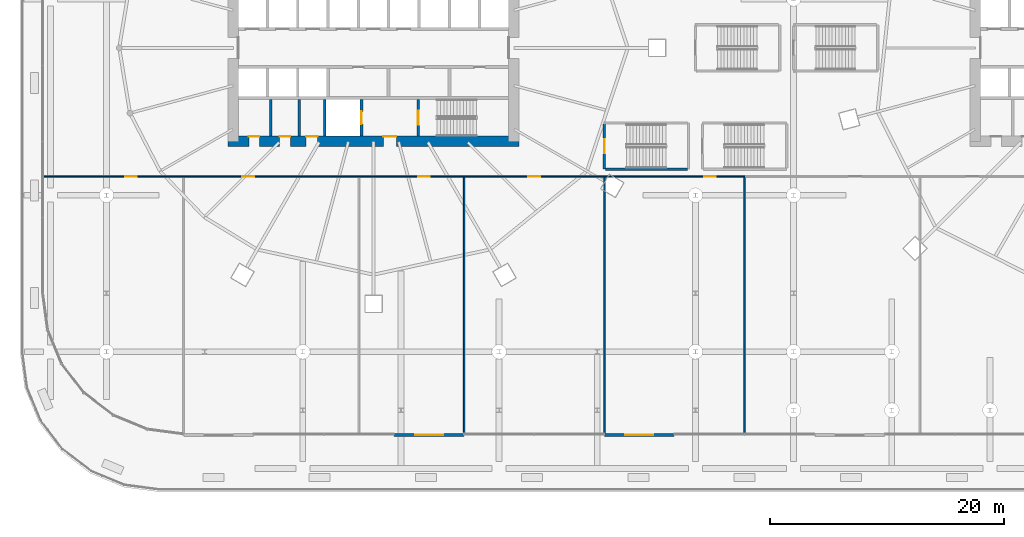
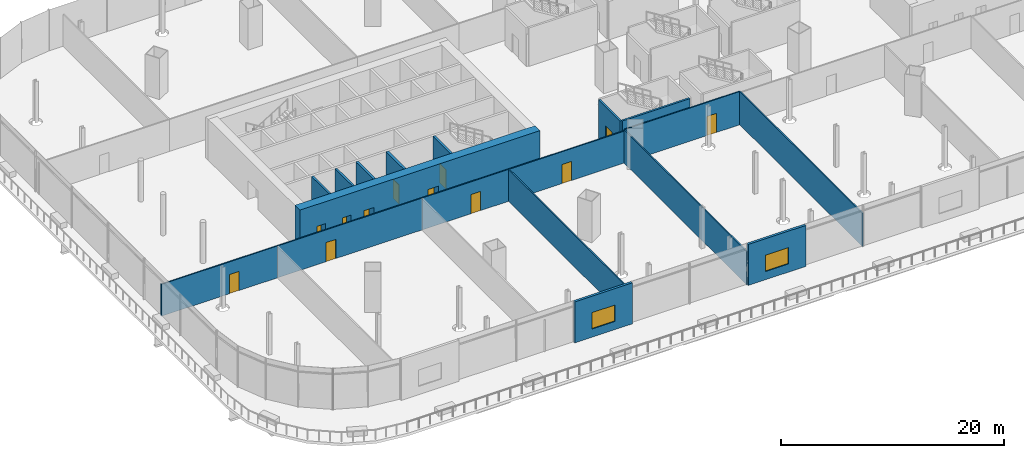
# One storey, part 36 of 56: 18 walls, 12 doors, 2 windows, 14 openings.
"""IFC4 building model written with IfcOpenShell, lengths in metres."""

from ifc_helpers import new_model, si_unit, direction, frame, frame_2d, origin, place, context, subcontext, project, spatial, rectangle, extrude, material, layer, layer_set, type_object, element, fill, save


model = new_model("IFC4")

# Units and contexts
model_context = context("Model", 3, precision=1e-05, world=origin(), true_north=direction((0.0, 1.0)))
body_context = subcontext(model_context, "Body", "Model", "MODEL_VIEW")
ifc_project = project(units=[si_unit("LENGTHUNIT", "METRE"), si_unit("AREAUNIT", "SQUARE_METRE"), si_unit("VOLUMEUNIT", "CUBIC_METRE"), si_unit("PLANEANGLEUNIT", "RADIAN"), si_unit("MASSUNIT", "GRAM", prefix="KILO")], contexts=[model_context])

# Site, building, storey
site_placement = place(None, origin())
site = spatial("IfcSite", under=ifc_project, at=site_placement, CompositionType="ELEMENT")
building_placement = place(site_placement, origin())
building = spatial("IfcBuilding", under=site, at=building_placement, Name="Rimbun Link Towers", CompositionType="ELEMENT")
storey_placement = place(building_placement, frame((0.0, 0.0, 16.5)))
storey = spatial("IfcBuildingStorey", under=building, at=storey_placement, Name="L03", CompositionType="ELEMENT", Elevation=16.5)

# Walls
ifc_material_1 = material(Name="Masonry blockwork", Category="masonry")
ifc_layer_1 = layer(ifc_material_1, 0.199951171875)
ifc_layer_set_1 = layer_set([ifc_layer_1], Name="Core partition 200")
wall_type_1 = type_object("IfcWallType", Name="Core partition 200", PredefinedType="PARTITIONING", material=ifc_layer_set_1)
for number, where, z_axis, x_axis, name in (
    (1, (-40.550048828125, -4.39990234375, 0.0), (0.0, 0.0, 1.0), (0.0, -1.0, 0.0), "L03 T1 core wall C1"),
    (2, (-38.10009765625, -4.39990234375, 0.0), (0.0, 0.0, 1.0), (0.0, -1.0, 0.0), "L03 T1 core wall C2"),
):
    element("IfcWall", number, at=place(storey_placement, frame(where, z_axis=z_axis, x_axis=x_axis)), inside=storey, type_object=wall_type_1, Name=name, PredefinedType="PARTITIONING", context=body_context, shape_type="SweptSolid", body=[
        extrude(rectangle(XDim=3.150146484375, YDim=0.199951171875, at=frame_2d((1.5751953125, 0.0))), origin(), (0.0, 0.0, 1.0), 4.5),
    ])

# Wall, openings, doors
ifc_material_2 = material(Name="Concrete C60/75", Category="concrete")
ifc_layer_2 = layer(ifc_material_2, 0.89990234375)
ifc_layer_set_2 = layer_set([ifc_layer_2], Name="Core shear wall 900")
wall_type_2 = type_object("IfcWallType", Name="Core shear wall 900", PredefinedType="SHEAR", material=ifc_layer_set_2)
wall_1_placement = place(storey_placement, frame((-44.199951171875, -8.0, 0.0), z_axis=(0.0, 0.0, 1.0), x_axis=(1.0, 0.0, 0.0)))
wall_1 = element("IfcWall", 3, at=wall_1_placement, inside=storey, type_object=wall_type_2, Name="L03 T1 core wall S", PredefinedType="SHEAR", context=body_context, shape_type="SweptSolid", body=[
    extrude(rectangle(XDim=24.89990234375, YDim=0.89990234375, at=frame_2d((12.449951171875, 0.0))), origin(), (0.0, 0.0, 1.0), 4.5),
])
opening_1_placement = place(wall_1_placement, frame((13.300048828125, 0.0, 0.0)))
opening_1 = element("IfcOpeningElement", 4, at=opening_1_placement, cuts=wall_1, Name="Opening C1DCF01S", PredefinedType="OPENING", context=body_context, shape_type="SweptSolid", body=[
    extrude(rectangle(XDim=1.10009765625, YDim=2.10009765625, at=frame_2d((0.550048828125, 1.050048828125))), frame((0.0, 0.4599609375, 0.0), z_axis=(0.0, -1.0, 0.0), x_axis=(1.0, 0.0, 0.0)), (0.0, 0.0, 1.0), 0.919921875),
])
opening_2_placement = place(wall_1_placement, frame((1.77490234375, 0.0, 0.0)))
opening_2 = element("IfcOpeningElement", 5, at=opening_2_placement, cuts=wall_1, Name="Opening C1DWC02S", PredefinedType="OPENING", context=body_context, shape_type="SweptSolid", body=[
    extrude(rectangle(XDim=0.89990234375, YDim=2.10009765625, at=frame_2d((0.449951171875, 1.050048828125))), frame((0.0, 0.4599609375, 0.0), z_axis=(0.0, -1.0, 0.0), x_axis=(1.0, 0.0, 0.0)), (0.0, 0.0, 1.0), 0.919921875),
])
opening_3_placement = place(wall_1_placement, frame((4.425048828125, 0.0, 0.0)))
opening_3 = element("IfcOpeningElement", 6, at=opening_3_placement, cuts=wall_1, Name="Opening C1DWC03S", PredefinedType="OPENING", context=body_context, shape_type="SweptSolid", body=[
    extrude(rectangle(XDim=0.89990234375, YDim=2.10009765625, at=frame_2d((0.449951171875, 1.050048828125))), frame((0.0, 0.4599609375, 0.0), z_axis=(0.0, -1.0, 0.0), x_axis=(1.0, 0.0, 0.0)), (0.0, 0.0, 1.0), 0.919921875),
])
opening_4_placement = place(wall_1_placement, frame((6.675048828125, 0.0, 0.0)))
opening_4 = element("IfcOpeningElement", 7, at=opening_4_placement, cuts=wall_1, Name="Opening C1DAW04S", PredefinedType="OPENING", context=body_context, shape_type="SweptSolid", body=[
    extrude(rectangle(XDim=1.0, YDim=2.10009765625, at=frame_2d((0.5, 1.050048828125))), frame((0.0, 0.4599609375, 0.0), z_axis=(0.0, -1.0, 0.0), x_axis=(1.0, 0.0, 0.0)), (0.0, 0.0, 1.0), 0.919921875),
])
ifc_material_3 = material(Name="Timber", Category="wood")
door_type_1 = type_object("IfcDoorType", Name="Accessible WC door", OperationType="SINGLE_SWING_LEFT", PredefinedType="DOOR", material=ifc_material_3)
door_1_placement = place(opening_4_placement, origin())
door_1 = element("IfcDoor", 8, at=door_1_placement, inside=storey, type_object=door_type_1, Name="L03 T1 accessible wc door", OperationType="SINGLE_SWING_RIGHT", OverallHeight=2.10009765625, OverallWidth=1.0, PredefinedType="DOOR", context=body_context, shape_type="SweptSolid", body=[
    extrude(rectangle(XDim=1.0, YDim=2.10009765625, at=frame_2d((0.5, 1.050048828125))), frame((0.0, 0.4501953125, 0.0), z_axis=(0.0, -1.0, 0.0), x_axis=(1.0, 0.0, 0.0)), (0.0, 0.0, 1.0), 0.050048828125),
])
fill(opening_4, door_1)
ifc_material_4 = material(Name="Steel fire door set", Category="steel")
door_type_2 = type_object("IfcDoorType", Name="Core fire door single", OperationType="SINGLE_SWING_LEFT", PredefinedType="DOOR", material=ifc_material_4)
door_2_placement = place(opening_1_placement, origin())
door_2 = element("IfcDoor", 9, at=door_2_placement, inside=storey, type_object=door_type_2, Name="L03 T1 firefighting lobby s door", OperationType="SINGLE_SWING_RIGHT", OverallHeight=2.10009765625, OverallWidth=1.10009765625, PredefinedType="DOOR", context=body_context, shape_type="SweptSolid", body=[
    extrude(rectangle(XDim=1.10009765625, YDim=2.10009765625, at=frame_2d((0.550048828125, 1.050048828125))), frame((0.0, 0.4501953125, 0.0), z_axis=(0.0, -1.0, 0.0), x_axis=(1.0, 0.0, 0.0)), (0.0, 0.0, 1.0), 0.050048828125),
])
fill(opening_1, door_2)
ifc_material_5 = material(Name="Timber", Category="wood")
door_type_3 = type_object("IfcDoorType", Name="WC door", OperationType="SINGLE_SWING_LEFT", PredefinedType="DOOR", material=ifc_material_5)
door_3_placement = place(opening_2_placement, origin())
door_3 = element("IfcDoor", 10, at=door_3_placement, inside=storey, type_object=door_type_3, Name="L03 T1 male wc door", OperationType="SINGLE_SWING_LEFT", OverallHeight=2.10009765625, OverallWidth=0.89990234375, PredefinedType="DOOR", context=body_context, shape_type="SweptSolid", body=[
    extrude(rectangle(XDim=0.89990234375, YDim=2.10009765625, at=frame_2d((0.449951171875, 1.050048828125))), frame((0.0, 0.4501953125, 0.0), z_axis=(0.0, -1.0, 0.0), x_axis=(1.0, 0.0, 0.0)), (0.0, 0.0, 1.0), 0.050048828125),
])
fill(opening_2, door_3)
door_4_placement = place(opening_3_placement, origin())
door_4 = element("IfcDoor", 11, at=door_4_placement, inside=storey, type_object=door_type_3, Name="L03 T1 female wc door", OperationType="SINGLE_SWING_RIGHT", OverallHeight=2.10009765625, OverallWidth=0.89990234375, PredefinedType="DOOR", context=body_context, shape_type="SweptSolid", body=[
    extrude(rectangle(XDim=0.89990234375, YDim=2.10009765625, at=frame_2d((0.449951171875, 1.050048828125))), frame((0.0, 0.4501953125, 0.0), z_axis=(0.0, -1.0, 0.0), x_axis=(1.0, 0.0, 0.0)), (0.0, 0.0, 1.0), 0.050048828125),
])
fill(opening_3, door_4)

# Wall, opening, window
ifc_material_6 = material(Name="Concrete C32/40, terracotta rainscreen cladding", Category="masonry")
ifc_layer_3 = layer(ifc_material_6, 0.25)
ifc_layer_set_3 = layer_set([ifc_layer_3], Name="PD solid bay wall 250")
wall_type_3 = type_object("IfcWallType", Name="PD solid bay wall 250", PredefinedType="STANDARD", material=ifc_layer_set_3)
wall_2_placement = place(storey_placement, frame((-24.02001953125, -33.125, 0.0), z_axis=(0.0, 0.0, 1.0), x_axis=(-1.0, 0.0, 0.0)))
wall_2 = element("IfcWall", 12, at=wall_2_placement, inside=storey, type_object=wall_type_3, Name="Solid bay wall", PredefinedType="STANDARD", context=body_context, shape_type="SweptSolid", body=[
    extrude(rectangle(XDim=5.9599609375, YDim=0.25, at=frame_2d((2.97998046875, 0.0))), origin(), (0.0, 0.0, 1.0), 4.5),
])
opening_5_placement = place(wall_2_placement, frame((1.780029296875, 0.0, 0.89990234375)))
opening_5 = element("IfcOpeningElement", 13, at=opening_5_placement, cuts=wall_2, Name="Opening WN11", PredefinedType="OPENING", context=body_context, shape_type="SweptSolid", body=[
    extrude(rectangle(XDim=2.39990234375, YDim=1.800048828125, at=frame_2d((1.199951171875, 0.89990234375))), frame((0.0, 0.135009765625, 0.0), z_axis=(0.0, -1.0, 0.0), x_axis=(1.0, 0.0, 0.0)), (0.0, 0.0, 1.0), 0.27001953125),
])
ifc_material_7 = material(Name="Aluminium framed window, low-iron glass", Category="aluminium")
window_type = type_object("IfcWindowType", Name="W1 podium window 2400X1800", PartitioningType="SINGLE_PANEL", PredefinedType="WINDOW", material=ifc_material_7)
window_1_placement = place(opening_5_placement, origin())
window_1 = element("IfcWindow", 14, at=window_1_placement, inside=storey, type_object=window_type, Name="Podium window", OverallHeight=1.800048828125, OverallWidth=2.39990234375, PartitioningType="SINGLE_PANEL", PredefinedType="WINDOW", context=body_context, shape_type="SweptSolid", body=[
    extrude(rectangle(XDim=2.39990234375, YDim=1.800048828125, at=frame_2d((1.199951171875, 0.89990234375))), frame((0.0, 0.030029296875, 0.0), z_axis=(0.0, -1.0, 0.0), x_axis=(1.0, 0.0, 0.0)), (0.0, 0.0, 1.0), 0.06005859375),
])
fill(opening_5, window_1)

wall_3_placement = place(storey_placement, frame((-6.02001953125, -33.125, 0.0), z_axis=(0.0, 0.0, 1.0), x_axis=(-1.0, 0.0, 0.0)))
wall_3 = element("IfcWall", 15, at=wall_3_placement, inside=storey, type_object=wall_type_3, Name="Solid bay wall", PredefinedType="STANDARD", context=body_context, shape_type="SweptSolid", body=[
    extrude(rectangle(XDim=5.9599609375, YDim=0.25, at=frame_2d((2.97998046875, 0.0))), origin(), (0.0, 0.0, 1.0), 4.5),
])
opening_6_placement = place(wall_3_placement, frame((1.780029296875, 0.0, 0.89990234375)))
opening_6 = element("IfcOpeningElement", 16, at=opening_6_placement, cuts=wall_3, Name="Opening WN12", PredefinedType="OPENING", context=body_context, shape_type="SweptSolid", body=[
    extrude(rectangle(XDim=2.39990234375, YDim=1.800048828125, at=frame_2d((1.199951171875, 0.89990234375))), frame((0.0, 0.135009765625, 0.0), z_axis=(0.0, -1.0, 0.0), x_axis=(1.0, 0.0, 0.0)), (0.0, 0.0, 1.0), 0.27001953125),
])
window_2_placement = place(opening_6_placement, origin())
window_2 = element("IfcWindow", 17, at=window_2_placement, inside=storey, type_object=window_type, Name="Podium window", OverallHeight=1.800048828125, OverallWidth=2.39990234375, PartitioningType="SINGLE_PANEL", PredefinedType="WINDOW", context=body_context, shape_type="SweptSolid", body=[
    extrude(rectangle(XDim=2.39990234375, YDim=1.800048828125, at=frame_2d((1.199951171875, 0.89990234375))), frame((0.0, 0.030029296875, 0.0), z_axis=(0.0, -1.0, 0.0), x_axis=(1.0, 0.0, 0.0)), (0.0, 0.0, 1.0), 0.06005859375),
])
fill(opening_6, window_2)

# Wall, opening, door
ifc_material_8 = material(Name="Gypsum board on steel studs", Category="steel")
ifc_layer_4 = layer(ifc_material_8, 0.125)
ifc_layer_set_4 = layer_set([ifc_layer_4], Name="Partition 125 board on studs")
wall_type_4 = type_object("IfcWallType", Name="Partition 125 board on studs", PredefinedType="PARTITIONING", material=ifc_layer_set_4)
wall_4_placement = place(storey_placement, frame((-60.080078125, -11.0, 0.0), z_axis=(0.0, 0.0, 1.0), x_axis=(1.0, 0.0, 0.0)))
wall_4 = element("IfcWall", 18, at=wall_4_placement, inside=storey, type_object=wall_type_4, Name="PD/PW/L03/025", PredefinedType="PARTITIONING", context=body_context, shape_type="SweptSolid", body=[
    extrude(rectangle(XDim=12.080078125, YDim=0.125, at=frame_2d((6.0400390625, 0.0))), origin(), (0.0, 0.0, 1.0), 3.49609375),
])
opening_7_placement = place(wall_4_placement, frame((7.06689453125, 0.0, 0.0)))
opening_7 = element("IfcOpeningElement", 19, at=opening_7_placement, cuts=wall_4, Name="Opening PD D03.01", PredefinedType="OPENING", context=body_context, shape_type="SweptSolid", body=[
    extrude(rectangle(XDim=1.0, YDim=2.10009765625, at=frame_2d((0.5, 1.050048828125))), frame((0.0, 0.072509765625, 0.0), z_axis=(0.0, -1.0, 0.0), x_axis=(1.0, 0.0, 0.0)), (0.0, 0.0, 1.0), 0.14501953125),
])
ifc_material_9 = material(Name="Timber door set", Category="wood")
door_type_4 = type_object("IfcDoorType", Name="Door single leaf 1000 x 2100", OperationType="NOTDEFINED", PredefinedType="DOOR", material=ifc_material_9)
door_5_placement = place(opening_7_placement, origin())
door_5 = element("IfcDoor", 20, at=door_5_placement, inside=storey, type_object=door_type_4, Name="PD/DR/L03/001", OperationType="SINGLE_SWING_RIGHT", OverallHeight=2.10009765625, OverallWidth=1.0, PredefinedType="DOOR", context=body_context, shape_type="SweptSolid", body=[
    extrude(rectangle(XDim=1.0, YDim=2.10009765625, at=frame_2d((0.5, 1.050048828125))), frame((0.0, 0.02490234375, 0.0), z_axis=(0.0, -1.0, 0.0), x_axis=(1.0, 0.0, 0.0)), (0.0, 0.0, 1.0), 0.050048828125),
])
fill(opening_7, door_5)

wall_5_placement = place(storey_placement, frame((-48.0, -11.0, 0.0), z_axis=(0.0, 0.0, 1.0), x_axis=(1.0, 0.0, 0.0)))
wall_5 = element("IfcWall", 21, at=wall_5_placement, inside=storey, type_object=wall_type_4, Name="PD/PW/L03/026", PredefinedType="PARTITIONING", context=body_context, shape_type="SweptSolid", body=[
    extrude(rectangle(XDim=15.0, YDim=0.125, at=frame_2d((7.5, 0.0))), origin(), (0.0, 0.0, 1.0), 3.49609375),
])
opening_8_placement = place(wall_5_placement, frame((5.034912109375, 0.0, 0.0)))
opening_8 = element("IfcOpeningElement", 22, at=opening_8_placement, cuts=wall_5, Name="Opening PD D03.02", PredefinedType="OPENING", context=body_context, shape_type="SweptSolid", body=[
    extrude(rectangle(XDim=1.0, YDim=2.10009765625, at=frame_2d((0.5, 1.050048828125))), frame((0.0, 0.072509765625, 0.0), z_axis=(0.0, -1.0, 0.0), x_axis=(1.0, 0.0, 0.0)), (0.0, 0.0, 1.0), 0.14501953125),
])
door_6_placement = place(opening_8_placement, origin())
door_6 = element("IfcDoor", 23, at=door_6_placement, inside=storey, type_object=door_type_4, Name="PD/DR/L03/002", OperationType="SINGLE_SWING_LEFT", OverallHeight=2.10009765625, OverallWidth=1.0, PredefinedType="DOOR", context=body_context, shape_type="SweptSolid", body=[
    extrude(rectangle(XDim=1.0, YDim=2.10009765625, at=frame_2d((0.5, 1.050048828125))), frame((0.0, 0.02490234375, 0.0), z_axis=(0.0, -1.0, 0.0), x_axis=(1.0, 0.0, 0.0)), (0.0, 0.0, 1.0), 0.050048828125),
])
fill(opening_8, door_6)

wall_6_placement = place(storey_placement, frame((-33.0, -11.0, 0.0), z_axis=(0.0, 0.0, 1.0), x_axis=(1.0, 0.0, 0.0)))
wall_6 = element("IfcWall", 24, at=wall_6_placement, inside=storey, type_object=wall_type_4, Name="PD/PW/L03/027", PredefinedType="PARTITIONING", context=body_context, shape_type="SweptSolid", body=[
    extrude(rectangle(XDim=9.0, YDim=0.125, at=frame_2d((4.5, 0.0))), origin(), (0.0, 0.0, 1.0), 3.49609375),
])
opening_9_placement = place(wall_6_placement, frame((5.06494140625, 0.0, 0.0)))
opening_9 = element("IfcOpeningElement", 25, at=opening_9_placement, cuts=wall_6, Name="Opening PD D03.03", PredefinedType="OPENING", context=body_context, shape_type="SweptSolid", body=[
    extrude(rectangle(XDim=1.0, YDim=2.10009765625, at=frame_2d((0.5, 1.050048828125))), frame((0.0, 0.072509765625, 0.0), z_axis=(0.0, -1.0, 0.0), x_axis=(1.0, 0.0, 0.0)), (0.0, 0.0, 1.0), 0.14501953125),
])
door_7_placement = place(opening_9_placement, origin())
door_7 = element("IfcDoor", 26, at=door_7_placement, inside=storey, type_object=door_type_4, Name="PD/DR/L03/003", OperationType="SINGLE_SWING_RIGHT", OverallHeight=2.10009765625, OverallWidth=1.0, PredefinedType="DOOR", context=body_context, shape_type="SweptSolid", body=[
    extrude(rectangle(XDim=1.0, YDim=2.10009765625, at=frame_2d((0.5, 1.050048828125))), frame((0.0, 0.02490234375, 0.0), z_axis=(0.0, -1.0, 0.0), x_axis=(1.0, 0.0, 0.0)), (0.0, 0.0, 1.0), 0.050048828125),
])
fill(opening_9, door_7)

wall_7_placement = place(storey_placement, frame((-24.0, -11.0, 0.0), z_axis=(0.0, 0.0, 1.0), x_axis=(1.0, 0.0, 0.0)))
wall_7 = element("IfcWall", 27, at=wall_7_placement, inside=storey, type_object=wall_type_4, Name="PD/PW/L03/028", PredefinedType="PARTITIONING", context=body_context, shape_type="SweptSolid", body=[
    extrude(rectangle(XDim=12.0, YDim=0.125, at=frame_2d((6.0, 0.0))), origin(), (0.0, 0.0, 1.0), 3.49609375),
])
opening_10_placement = place(wall_7_placement, frame((5.5, 0.0, 0.0)))
opening_10 = element("IfcOpeningElement", 28, at=opening_10_placement, cuts=wall_7, Name="Opening PD D03.04", PredefinedType="OPENING", context=body_context, shape_type="SweptSolid", body=[
    extrude(rectangle(XDim=1.0, YDim=2.10009765625, at=frame_2d((0.5, 1.050048828125))), frame((0.0, 0.072509765625, 0.0), z_axis=(0.0, -1.0, 0.0), x_axis=(1.0, 0.0, 0.0)), (0.0, 0.0, 1.0), 0.14501953125),
])
door_8_placement = place(opening_10_placement, origin())
door_8 = element("IfcDoor", 29, at=door_8_placement, inside=storey, type_object=door_type_4, Name="PD/DR/L03/004", OperationType="SINGLE_SWING_LEFT", OverallHeight=2.10009765625, OverallWidth=1.0, PredefinedType="DOOR", context=body_context, shape_type="SweptSolid", body=[
    extrude(rectangle(XDim=1.0, YDim=2.10009765625, at=frame_2d((0.5, 1.050048828125))), frame((0.0, 0.02490234375, 0.0), z_axis=(0.0, -1.0, 0.0), x_axis=(1.0, 0.0, 0.0)), (0.0, 0.0, 1.0), 0.050048828125),
])
fill(opening_10, door_8)

wall_8_placement = place(storey_placement, frame((-12.0, -11.0, 0.0), z_axis=(0.0, 0.0, 1.0), x_axis=(1.0, 0.0, 0.0)))
wall_8 = element("IfcWall", 30, at=wall_8_placement, inside=storey, type_object=wall_type_4, Name="PD/PW/L03/029", PredefinedType="PARTITIONING", context=body_context, shape_type="SweptSolid", body=[
    extrude(rectangle(XDim=12.0, YDim=0.125, at=frame_2d((6.0, 0.0))), origin(), (0.0, 0.0, 1.0), 3.64697265625),
])
opening_11_placement = place(wall_8_placement, frame((8.530029296875, 0.0, 0.0)))
opening_11 = element("IfcOpeningElement", 31, at=opening_11_placement, cuts=wall_8, Name="Opening PD D03.05", PredefinedType="OPENING", context=body_context, shape_type="SweptSolid", body=[
    extrude(rectangle(XDim=1.0, YDim=2.10009765625, at=frame_2d((0.5, 1.050048828125))), frame((0.0, 0.072509765625, 0.0), z_axis=(0.0, -1.0, 0.0), x_axis=(1.0, 0.0, 0.0)), (0.0, 0.0, 1.0), 0.14501953125),
])
door_9_placement = place(opening_11_placement, origin())
door_9 = element("IfcDoor", 32, at=door_9_placement, inside=storey, type_object=door_type_4, Name="PD/DR/L03/005", OperationType="SINGLE_SWING_RIGHT", OverallHeight=2.10009765625, OverallWidth=1.0, PredefinedType="DOOR", context=body_context, shape_type="SweptSolid", body=[
    extrude(rectangle(XDim=1.0, YDim=2.10009765625, at=frame_2d((0.5, 1.050048828125))), frame((0.0, 0.02490234375, 0.0), z_axis=(0.0, -1.0, 0.0), x_axis=(1.0, 0.0, 0.0)), (0.0, 0.0, 1.0), 0.050048828125),
])
fill(opening_11, door_9)

# Walls
wall_9_placement = place(storey_placement, frame((-24.0, -33.080078125, 0.0), z_axis=(0.0, 0.0, 1.0), x_axis=(0.0, 1.0, 0.0)))
element("IfcWall", 33, at=wall_9_placement, inside=storey, type_object=wall_type_4, Name="PD/PW/L03/047", PredefinedType="PARTITIONING", context=body_context, shape_type="SweptSolid", body=[
    extrude(rectangle(XDim=22.017578125, YDim=0.125, at=frame_2d((11.0087890625, 0.0))), origin(), (0.0, 0.0, 1.0), 3.49609375),
])
for number, where, z_axis, x_axis, name in (
    (34, (-12.0, -33.080078125, 0.0), (0.0, 0.0, 1.0), (0.0, 1.0, 0.0), "PD/PW/L03/048"),
    (35, (0.0, -33.080078125, 0.0), (0.0, 0.0, 1.0), (0.0, 1.0, 0.0), "PD/PW/L03/049"),
):
    element("IfcWall", number, at=place(storey_placement, frame(where, z_axis=z_axis, x_axis=x_axis)), inside=storey, type_object=wall_type_4, Name=name, PredefinedType="PARTITIONING", context=body_context, shape_type="SweptSolid", body=[
        extrude(rectangle(XDim=22.017578125, YDim=0.125, at=frame_2d((11.0087890625, 0.0))), origin(), (0.0, 0.0, 1.0), 3.64697265625),
    ])

# Wall, opening, door
ifc_material_10 = material(Name="Concrete C60/75", Category="concrete")
ifc_layer_5 = layer(ifc_material_10, 0.25)
ifc_layer_set_5 = layer_set([ifc_layer_5], Name="Shaft wall 250")
wall_type_5 = type_object("IfcWallType", Name="Shaft wall 250", PredefinedType="SHEAR", material=ifc_layer_set_5)
wall_10_placement = place(storey_placement, frame((-27.925048828125, -4.39990234375, 0.0), z_axis=(0.0, 0.0, 1.0), x_axis=(0.0, -1.0, 0.0)))
wall_10 = element("IfcWall", 36, at=wall_10_placement, inside=storey, type_object=wall_type_5, Name="L03 T1 core wall B1", PredefinedType="SHEAR", context=body_context, shape_type="SweptSolid", body=[
    extrude(rectangle(XDim=3.150146484375, YDim=0.25, at=frame_2d((1.5751953125, 0.0))), origin(), (0.0, 0.0, 1.0), 4.5),
])
opening_12_placement = place(wall_10_placement, frame((0.97509765625, 0.0, 0.0)))
opening_12 = element("IfcOpeningElement", 37, at=opening_12_placement, cuts=wall_10, Name="Opening C1DST01B1", PredefinedType="OPENING", context=body_context, shape_type="SweptSolid", body=[
    extrude(rectangle(XDim=1.199951171875, YDim=2.10009765625, at=frame_2d((0.60009765625, 1.050048828125))), frame((0.0, 0.135009765625, 0.0), z_axis=(0.0, -1.0, 0.0), x_axis=(1.0, 0.0, 0.0)), (0.0, 0.0, 1.0), 0.27001953125),
])
ifc_material_11 = material(Name="Steel fire door set", Category="steel")
door_type_5 = type_object("IfcDoorType", Name="Stair door", OperationType="SINGLE_SWING_LEFT", PredefinedType="DOOR", material=ifc_material_11)
door_10_placement = place(opening_12_placement, origin())
door_10 = element("IfcDoor", 38, at=door_10_placement, inside=storey, type_object=door_type_5, Name="L03 T1 stair b door", OperationType="SINGLE_SWING_RIGHT", OverallHeight=2.10009765625, OverallWidth=1.199951171875, PredefinedType="DOOR", context=body_context, shape_type="SweptSolid", body=[
    extrude(rectangle(XDim=1.199951171875, YDim=2.10009765625, at=frame_2d((0.60009765625, 1.050048828125))), frame((0.0, 0.02490234375, 0.0), z_axis=(0.0, -1.0, 0.0), x_axis=(1.0, 0.0, 0.0)), (0.0, 0.0, 1.0), 0.050048828125),
])
fill(opening_12, door_10)

wall_11_placement = place(storey_placement, frame((-32.77490234375, -4.39990234375, 0.0), z_axis=(0.0, 0.0, 1.0), x_axis=(0.0, -1.0, 0.0)))
wall_11 = element("IfcWall", 39, at=wall_11_placement, inside=storey, type_object=wall_type_5, Name="L03 T1 core wall B2", PredefinedType="SHEAR", context=body_context, shape_type="SweptSolid", body=[
    extrude(rectangle(XDim=3.150146484375, YDim=0.25, at=frame_2d((1.5751953125, 0.0))), origin(), (0.0, 0.0, 1.0), 4.5),
])
opening_13_placement = place(wall_11_placement, frame((1.02490234375, 0.0, 0.0)))
opening_13 = element("IfcOpeningElement", 40, at=opening_13_placement, cuts=wall_11, Name="Opening LD-T1-FF2", PredefinedType="OPENING", context=body_context, shape_type="SweptSolid", body=[
    extrude(rectangle(XDim=1.10009765625, YDim=2.10009765625, at=frame_2d((0.550048828125, 1.050048828125))), frame((0.0, 0.135009765625, 0.0), z_axis=(0.0, -1.0, 0.0), x_axis=(1.0, 0.0, 0.0)), (0.0, 0.0, 1.0), 0.27001953125),
])
ifc_material_12 = material(Name="Stainless steel grade 316", Category="steel")
door_type_6 = type_object("IfcDoorType", Name="Lift landing door", OperationType="DOUBLE_DOOR_SLIDING", PredefinedType="DOOR", material=ifc_material_12)
door_11_placement = place(opening_13_placement, origin())
door_11 = element("IfcDoor", 41, at=door_11_placement, inside=storey, type_object=door_type_6, Name="L03 T1 lift FF2 landing door", OperationType="DOUBLE_DOOR_SLIDING", OverallHeight=2.10009765625, OverallWidth=1.10009765625, PredefinedType="DOOR", context=body_context, shape_type="SweptSolid", body=[
    extrude(rectangle(XDim=1.10009765625, YDim=2.10009765625, at=frame_2d((0.550048828125, 1.050048828125))), frame((0.0, 0.02490234375, 0.0), z_axis=(0.0, -1.0, 0.0), x_axis=(1.0, 0.0, 0.0)), (0.0, 0.0, 1.0), 0.050048828125),
])
fill(opening_13, door_11)

# Wall
wall_12_placement = place(storey_placement, frame((-35.925048828125, -4.39990234375, 0.0), z_axis=(0.0, 0.0, 1.0), x_axis=(0.0, -1.0, 0.0)))
element("IfcWall", 42, at=wall_12_placement, inside=storey, type_object=wall_type_5, Name="L03 T1 core wall B3", PredefinedType="SHEAR", context=body_context, shape_type="SweptSolid", body=[
    extrude(rectangle(XDim=3.150146484375, YDim=0.25, at=frame_2d((1.5751953125, 0.0))), origin(), (0.0, 0.0, 1.0), 4.5),
])

# Wall, opening, door
ifc_material_13 = material(Name="Concrete C40/50", Category="concrete")
ifc_layer_6 = layer(ifc_material_13, 0.199951171875)
ifc_layer_set_6 = layer_set([ifc_layer_6], Name="Stair shaft wall 200")
wall_type_6 = type_object("IfcWallType", Name="Stair shaft wall 200", PredefinedType="SOLIDWALL", material=ifc_layer_set_6)
wall_13_placement = place(storey_placement, frame((-12.0, -6.52490234375, 0.0), z_axis=(0.0, 0.0, 1.0), x_axis=(0.0, -1.0, 0.0)))
wall_13 = element("IfcWall", 43, at=wall_13_placement, inside=storey, type_object=wall_type_6, Name="PD/PW/L03/003", PredefinedType="SOLIDWALL", context=body_context, shape_type="SweptSolid", body=[
    extrude(rectangle(XDim=3.85009765625, YDim=0.199951171875, at=frame_2d((1.925048828125, 0.0))), origin(), (0.0, 0.0, 1.0), 4.199951171875),
])
opening_14_placement = place(wall_13_placement, frame((1.27490234375, 0.0, 0.0)))
opening_14 = element("IfcOpeningElement", 44, at=opening_14_placement, cuts=wall_13, Name="Opening PD DS1", PredefinedType="OPENING", context=body_context, shape_type="SweptSolid", body=[
    extrude(rectangle(XDim=1.199951171875, YDim=2.10009765625, at=frame_2d((0.60009765625, 1.050048828125))), frame((0.0, 0.10986328125, 0.0), z_axis=(0.0, -1.0, 0.0), x_axis=(1.0, 0.0, 0.0)), (0.0, 0.0, 1.0), 0.219970703125),
])
door_12_placement = place(opening_14_placement, frame((1.199951171875, 0.0, 0.0), z_axis=(0.0, 0.0, 1.0), x_axis=(-1.0, 0.0, 0.0)))
door_12 = element("IfcDoor", 45, at=door_12_placement, inside=storey, type_object=door_type_5, Name="PD/DR/L03/S1", OperationType="SINGLE_SWING_LEFT", OverallHeight=2.10009765625, OverallWidth=1.199951171875, PredefinedType="DOOR", context=body_context, shape_type="SweptSolid", body=[
    extrude(rectangle(XDim=1.199951171875, YDim=2.10009765625, at=frame_2d((0.60009765625, 1.050048828125))), frame((0.0, 0.02490234375, 0.0), z_axis=(0.0, -1.0, 0.0), x_axis=(1.0, 0.0, 0.0)), (0.0, 0.0, 1.0), 0.050048828125),
])
fill(opening_14, door_12)

# Wall
wall_14_placement = place(storey_placement, frame((-11.89990234375, -10.375, 0.0), z_axis=(0.0, 0.0, 1.0), x_axis=(1.0, 0.0, 0.0)))
element("IfcWall", 46, at=wall_14_placement, inside=storey, type_object=wall_type_6, Name="PD/PW/L03/004", PredefinedType="SOLIDWALL", context=body_context, shape_type="SweptSolid", body=[
    extrude(rectangle(XDim=7.0, YDim=0.199951171875, at=frame_2d((3.5, 0.0))), origin(), (0.0, 0.0, 1.0), 4.199951171875),
])

save(model, "model.ifc")
